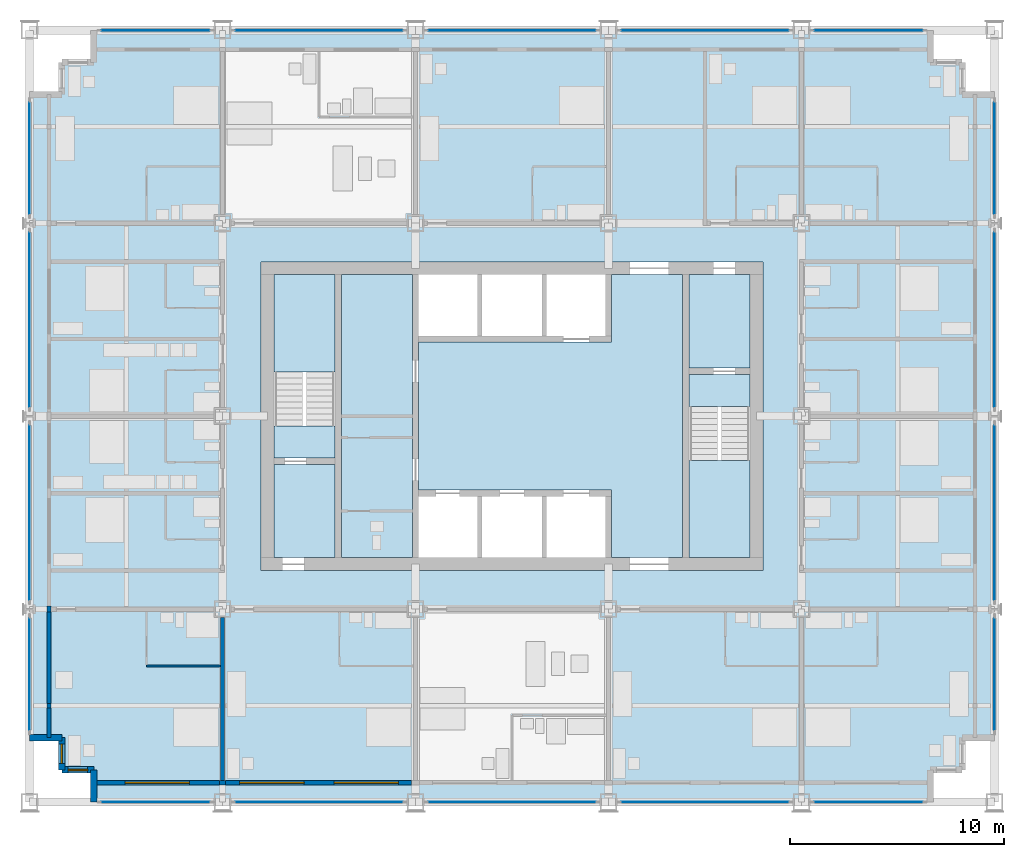
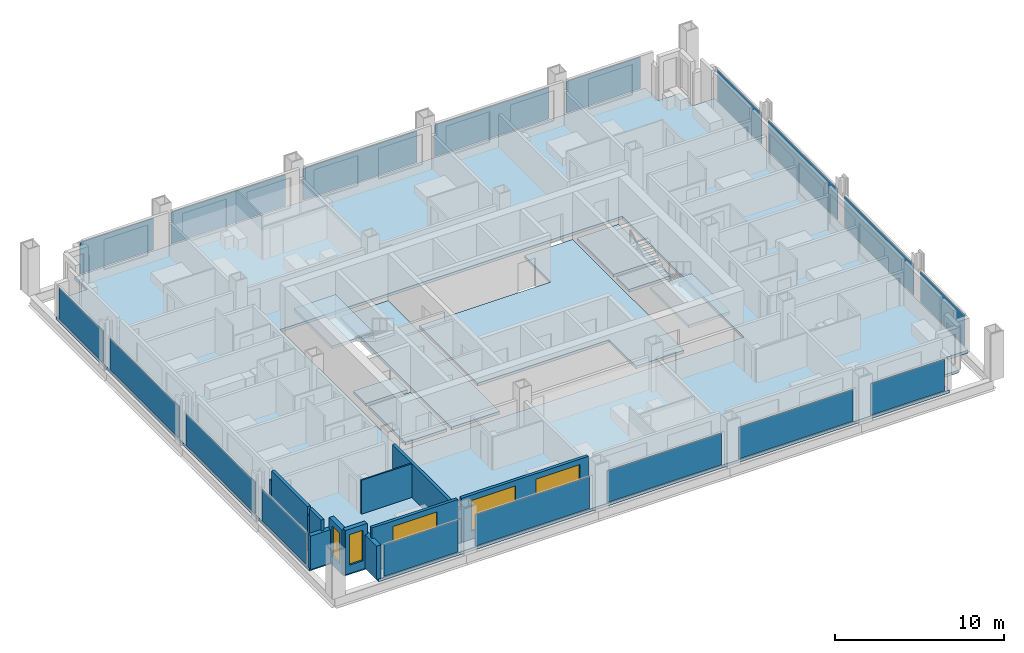
# One storey, part 8 of 16: 18 plates, 13 walls, 9 slabs, 5 windows, 5 openings, 20 elements without a shape of their own.
"""IFC4 building model written with IfcOpenShell, lengths in metres."""

from ifc_helpers import new_model, si_unit, direction, frame, frame_2d, origin, origin_2d, place, context, subcontext, project, spatial, polyline, rectangle, outline, extrude, material, layer, layer_set, type_object, element, fill, aggregate, save


model = new_model("IFC4")

# Units and contexts
model_context = context("Model", 3, precision=1e-05, world=origin(), true_north=direction((0.0, 1.0)))
body_context = subcontext(model_context, "Body", "Model", "MODEL_VIEW")
ifc_project = project(units=[si_unit("LENGTHUNIT", "METRE"), si_unit("AREAUNIT", "SQUARE_METRE"), si_unit("VOLUMEUNIT", "CUBIC_METRE"), si_unit("PLANEANGLEUNIT", "RADIAN"), si_unit("MASSUNIT", "GRAM", prefix="KILO")], contexts=[model_context])

# Site, building, storey
site_placement = place(None, origin())
site = spatial("IfcSite", under=ifc_project, at=site_placement, CompositionType="ELEMENT")
building_placement = place(site_placement, origin())
building = spatial("IfcBuilding", under=site, at=building_placement, Name="Loomwork Tower", CompositionType="ELEMENT")
storey_placement = place(building_placement, frame((0.0, 0.0, 107.800048828125)))
storey = spatial("IfcBuildingStorey", under=building, at=storey_placement, Name="L28", CompositionType="ELEMENT", Elevation=107.800048828125)

# Slabs
ifc_material_1 = material(Name="Concrete 5000 psi (34 MPa) on composite metal deck", Category="concrete")
ifc_layer_1 = layer(ifc_material_1, 0.199951171875)
ifc_layer_set_1 = layer_set([ifc_layer_1], Name="Floor slab 200")
slab_type_1 = type_object("IfcSlabType", Name="Floor slab 200", PredefinedType="FLOOR", material=ifc_layer_set_1)
slab_1_placement = place(storey_placement, frame((0.0, 0.0, -0.199951171875)))
element("IfcSlab", 1, at=slab_1_placement, inside=storey, type_object=slab_type_1, Name="Floor slab L28", PredefinedType="FLOOR", context=body_context, shape_type="SweptSolid", body=[
    extrude(outline(polyline([(3.0, 1.5), (1.5, 1.5), (1.5, 3.0), (0.0, 3.0), (0.0, 33.0), (1.5, 33.0), (1.5, 34.5), (3.0, 34.5), (3.0, 36.0), (42.0, 36.0), (42.0, 34.5), (43.5, 34.5), (43.5, 33.0), (45.0, 33.0), (45.0, 3.0), (43.5, 3.0), (43.5, 1.5), (42.0, 1.5), (42.0, 0.0), (3.0, 0.0), (3.0, 1.5)]), holes=[polyline([(10.800048828125, 11.39990234375), (10.800048828125, 11.39990234375), (10.800048828125, 10.800048828125), (34.199951171875, 10.800048828125), (34.199951171875, 11.39990234375), (34.199951171875, 11.39990234375), (34.199951171875, 24.60009765625), (34.199951171875, 25.199951171875), (10.800048828125, 25.199951171875), (10.800048828125, 24.60009765625), (10.800048828125, 11.39990234375)])]), origin(), (0.0, 0.0, 1.0), 0.199951171875),
])
slab_2_placement = place(storey_placement, frame((0.0, 0.0, -0.199951171875)))
element("IfcSlab", 2, at=slab_2_placement, inside=storey, type_object=slab_type_1, Name="Floor slab L28", PredefinedType="FLOOR", context=body_context, shape_type="SweptSolid", body=[
    extrude(outline(polyline([(30.449951171875, 24.60009765625), (30.449951171875, 11.39990234375), (27.14990234375, 11.39990234375), (27.14990234375, 14.25), (27.14990234375, 14.550048828125), (18.14990234375, 14.550048828125), (18.14990234375, 21.449951171875), (27.14990234375, 21.449951171875), (27.14990234375, 21.75), (27.14990234375, 24.60009765625), (30.449951171875, 24.60009765625)])), origin(), (0.0, 0.0, 1.0), 0.199951171875),
])
slab_3_placement = place(storey_placement, frame((0.0, 0.0, -0.199951171875)))
element("IfcSlab", 3, at=slab_3_placement, inside=storey, type_object=slab_type_1, Name="Floor slab L28", PredefinedType="FLOOR", context=body_context, shape_type="SweptSolid", body=[
    extrude(outline(polyline([(14.550048828125, 11.39990234375), (14.550048828125, 24.60009765625), (17.85009765625, 24.60009765625), (17.85009765625, 11.39990234375), (14.550048828125, 11.39990234375)])), origin(), (0.0, 0.0, 1.0), 0.199951171875),
])
slab_4_placement = place(storey_placement, frame((0.0, 0.0, -0.199951171875)))
element("IfcSlab", 4, at=slab_4_placement, inside=storey, type_object=slab_type_1, Name="Floor slab L28", PredefinedType="FLOOR", context=body_context, shape_type="SweptSolid", body=[
    extrude(outline(polyline([(33.60009765625, 20.25), (30.75, 20.25), (30.75, 24.60009765625), (33.60009765625, 24.60009765625), (33.60009765625, 20.25)])), origin(), (0.0, 0.0, 1.0), 0.199951171875),
])
slab_5_placement = place(storey_placement, frame((0.0, 0.0, -0.199951171875)))
element("IfcSlab", 5, at=slab_5_placement, inside=storey, type_object=slab_type_1, Name="Floor slab L28", PredefinedType="FLOOR", context=body_context, shape_type="SweptSolid", body=[
    extrude(outline(polyline([(14.25, 15.75), (14.25, 11.39990234375), (11.39990234375, 11.39990234375), (11.39990234375, 15.75), (14.25, 15.75)])), origin(), (0.0, 0.0, 1.0), 0.199951171875),
])

# Curtain wall, plate
ifc_material_2 = material(Name="Aluminium curtain wall frame", Category="aluminium")
curtain_wall_type = type_object("IfcCurtainWallType", Name="Outer skin glazing hotel", PredefinedType="NOTDEFINED", material=ifc_material_2)
curtain_wall_1_placement = place(storey_placement, origin())
curtain_wall_1 = element("IfcCurtainWall", 6, at=curtain_wall_1_placement, inside=storey, type_object=curtain_wall_type, Name="Outer skin glazing hotel cw/S-0", PredefinedType="NOTDEFINED")
ifc_material_3 = material(Name="Clear laminated glass", Category="glass")
ifc_layer_2 = layer(ifc_material_3, 0.02392578125)
ifc_layer_set_2 = layer_set([ifc_layer_2], Name="Outer skin glazing hotel panel")
plate_type = type_object("IfcPlateType", Name="Outer skin glazing hotel panel", PredefinedType="CURTAIN_PANEL", material=ifc_layer_set_2)
plate_1_placement = place(storey_placement, frame((5.875, 0.0, 0.06494140625), z_axis=(0.0, 0.0, 1.0), x_axis=(1.0, 0.0, 0.0)))
plate_1 = element("IfcPlate", 7, at=plate_1_placement, type_object=plate_type, Name="CW1 panel 1.1", PredefinedType="CURTAIN_PANEL", context=body_context, shape_type="SweptSolid", body=[
    extrude(rectangle(XDim=5.050048828125, YDim=0.02392578125, at=origin_2d()), origin(), (0.0, 0.0, 1.0), 2.290283203125),
])
aggregate(curtain_wall_1, [plate_1])

curtain_wall_2_placement = place(storey_placement, origin())
curtain_wall_2 = element("IfcCurtainWall", 8, at=curtain_wall_2_placement, inside=storey, type_object=curtain_wall_type, Name="Outer skin glazing hotel cw/S-9", PredefinedType="NOTDEFINED")
plate_2_placement = place(storey_placement, frame((13.5, 0.0, 0.06494140625), z_axis=(0.0, 0.0, 1.0), x_axis=(1.0, 0.0, 0.0)))
plate_2 = element("IfcPlate", 9, at=plate_2_placement, type_object=plate_type, Name="CW1 panel 1.1", PredefinedType="CURTAIN_PANEL", context=body_context, shape_type="SweptSolid", body=[
    extrude(rectangle(XDim=7.800048828125, YDim=0.02392578125, at=origin_2d()), origin(), (0.0, 0.0, 1.0), 2.290283203125),
])
aggregate(curtain_wall_2, [plate_2])

curtain_wall_3_placement = place(storey_placement, origin())
curtain_wall_3 = element("IfcCurtainWall", 10, at=curtain_wall_3_placement, inside=storey, type_object=curtain_wall_type, Name="Outer skin glazing hotel cw/S-18", PredefinedType="NOTDEFINED")
plate_3_placement = place(storey_placement, frame((22.5, 0.0, 0.06494140625), z_axis=(0.0, 0.0, 1.0), x_axis=(1.0, 0.0, 0.0)))
plate_3 = element("IfcPlate", 11, at=plate_3_placement, type_object=plate_type, Name="CW1 panel 1.1", PredefinedType="CURTAIN_PANEL", context=body_context, shape_type="SweptSolid", body=[
    extrude(rectangle(XDim=7.800048828125, YDim=0.02392578125, at=origin_2d()), origin(), (0.0, 0.0, 1.0), 2.290283203125),
])
aggregate(curtain_wall_3, [plate_3])

curtain_wall_4_placement = place(storey_placement, origin())
curtain_wall_4 = element("IfcCurtainWall", 12, at=curtain_wall_4_placement, inside=storey, type_object=curtain_wall_type, Name="Outer skin glazing hotel cw/S-27", PredefinedType="NOTDEFINED")
plate_4_placement = place(storey_placement, frame((31.5, 0.0, 0.06494140625), z_axis=(0.0, 0.0, 1.0), x_axis=(1.0, 0.0, 0.0)))
plate_4 = element("IfcPlate", 13, at=plate_4_placement, type_object=plate_type, Name="CW1 panel 1.1", PredefinedType="CURTAIN_PANEL", context=body_context, shape_type="SweptSolid", body=[
    extrude(rectangle(XDim=7.800048828125, YDim=0.02392578125, at=origin_2d()), origin(), (0.0, 0.0, 1.0), 2.290283203125),
])
aggregate(curtain_wall_4, [plate_4])

curtain_wall_5_placement = place(storey_placement, origin())
curtain_wall_5 = element("IfcCurtainWall", 14, at=curtain_wall_5_placement, inside=storey, type_object=curtain_wall_type, Name="Outer skin glazing hotel cw/S-36", PredefinedType="NOTDEFINED")
plate_5_placement = place(storey_placement, frame((39.125, 0.0, 0.06494140625), z_axis=(0.0, 0.0, 1.0), x_axis=(1.0, 0.0, 0.0)))
plate_5 = element("IfcPlate", 15, at=plate_5_placement, type_object=plate_type, Name="CW1 panel 1.1", PredefinedType="CURTAIN_PANEL", context=body_context, shape_type="SweptSolid", body=[
    extrude(rectangle(XDim=5.050048828125, YDim=0.02392578125, at=origin_2d()), origin(), (0.0, 0.0, 1.0), 2.290283203125),
])
aggregate(curtain_wall_5, [plate_5])

curtain_wall_6_placement = place(storey_placement, origin())
curtain_wall_6 = element("IfcCurtainWall", 16, at=curtain_wall_6_placement, inside=storey, type_object=curtain_wall_type, Name="Outer skin glazing hotel cw/N-0", PredefinedType="NOTDEFINED")
plate_6_placement = place(storey_placement, frame((5.875, 36.0, 0.06494140625), z_axis=(0.0, 0.0, 1.0), x_axis=(-1.0, 0.0, 0.0)))
plate_6 = element("IfcPlate", 17, at=plate_6_placement, type_object=plate_type, Name="CW1 panel 1.1", PredefinedType="CURTAIN_PANEL", context=body_context, shape_type="SweptSolid", body=[
    extrude(rectangle(XDim=5.050048828125, YDim=0.02392578125, at=origin_2d()), origin(), (0.0, 0.0, 1.0), 2.290283203125),
])
aggregate(curtain_wall_6, [plate_6])

curtain_wall_7_placement = place(storey_placement, origin())
curtain_wall_7 = element("IfcCurtainWall", 18, at=curtain_wall_7_placement, inside=storey, type_object=curtain_wall_type, Name="Outer skin glazing hotel cw/N-9", PredefinedType="NOTDEFINED")
plate_7_placement = place(storey_placement, frame((13.5, 36.0, 0.06494140625), z_axis=(0.0, 0.0, 1.0), x_axis=(-1.0, 0.0, 0.0)))
plate_7 = element("IfcPlate", 19, at=plate_7_placement, type_object=plate_type, Name="CW1 panel 1.1", PredefinedType="CURTAIN_PANEL", context=body_context, shape_type="SweptSolid", body=[
    extrude(rectangle(XDim=7.800048828125, YDim=0.02392578125, at=origin_2d()), origin(), (0.0, 0.0, 1.0), 2.290283203125),
])
aggregate(curtain_wall_7, [plate_7])

curtain_wall_8_placement = place(storey_placement, origin())
curtain_wall_8 = element("IfcCurtainWall", 20, at=curtain_wall_8_placement, inside=storey, type_object=curtain_wall_type, Name="Outer skin glazing hotel cw/N-18", PredefinedType="NOTDEFINED")
plate_8_placement = place(storey_placement, frame((22.5, 36.0, 0.06494140625), z_axis=(0.0, 0.0, 1.0), x_axis=(-1.0, 0.0, 0.0)))
plate_8 = element("IfcPlate", 21, at=plate_8_placement, type_object=plate_type, Name="CW1 panel 1.1", PredefinedType="CURTAIN_PANEL", context=body_context, shape_type="SweptSolid", body=[
    extrude(rectangle(XDim=7.800048828125, YDim=0.02392578125, at=origin_2d()), origin(), (0.0, 0.0, 1.0), 2.290283203125),
])
aggregate(curtain_wall_8, [plate_8])

curtain_wall_9_placement = place(storey_placement, origin())
curtain_wall_9 = element("IfcCurtainWall", 22, at=curtain_wall_9_placement, inside=storey, type_object=curtain_wall_type, Name="Outer skin glazing hotel cw/N-27", PredefinedType="NOTDEFINED")
plate_9_placement = place(storey_placement, frame((31.5, 36.0, 0.06494140625), z_axis=(0.0, 0.0, 1.0), x_axis=(-1.0, 0.0, 0.0)))
plate_9 = element("IfcPlate", 23, at=plate_9_placement, type_object=plate_type, Name="CW1 panel 1.1", PredefinedType="CURTAIN_PANEL", context=body_context, shape_type="SweptSolid", body=[
    extrude(rectangle(XDim=7.800048828125, YDim=0.02392578125, at=origin_2d()), origin(), (0.0, 0.0, 1.0), 2.290283203125),
])
aggregate(curtain_wall_9, [plate_9])

curtain_wall_10_placement = place(storey_placement, origin())
curtain_wall_10 = element("IfcCurtainWall", 24, at=curtain_wall_10_placement, inside=storey, type_object=curtain_wall_type, Name="Outer skin glazing hotel cw/N-36", PredefinedType="NOTDEFINED")
plate_10_placement = place(storey_placement, frame((39.125, 36.0, 0.06494140625), z_axis=(0.0, 0.0, 1.0), x_axis=(-1.0, 0.0, 0.0)))
plate_10 = element("IfcPlate", 25, at=plate_10_placement, type_object=plate_type, Name="CW1 panel 1.1", PredefinedType="CURTAIN_PANEL", context=body_context, shape_type="SweptSolid", body=[
    extrude(rectangle(XDim=5.050048828125, YDim=0.02392578125, at=origin_2d()), origin(), (0.0, 0.0, 1.0), 2.290283203125),
])
aggregate(curtain_wall_10, [plate_10])

curtain_wall_11_placement = place(storey_placement, origin())
curtain_wall_11 = element("IfcCurtainWall", 26, at=curtain_wall_11_placement, inside=storey, type_object=curtain_wall_type, Name="Outer skin glazing hotel cw/W-0", PredefinedType="NOTDEFINED")
plate_11_placement = place(storey_placement, frame((0.0, 5.962646484375, 0.06494140625), z_axis=(0.0, 0.0, 1.0), x_axis=(0.0, -1.0, 0.0)))
plate_11 = element("IfcPlate", 27, at=plate_11_placement, type_object=plate_type, Name="CW1 panel 1.1", PredefinedType="CURTAIN_PANEL", context=body_context, shape_type="SweptSolid", body=[
    extrude(rectangle(XDim=5.22509765625, YDim=0.02392578125, at=origin_2d()), origin(), (0.0, 0.0, 1.0), 2.290283203125),
])
aggregate(curtain_wall_11, [plate_11])

curtain_wall_12_placement = place(storey_placement, origin())
curtain_wall_12 = element("IfcCurtainWall", 28, at=curtain_wall_12_placement, inside=storey, type_object=curtain_wall_type, Name="Outer skin glazing hotel cw/W-9", PredefinedType="NOTDEFINED")
plate_12_placement = place(storey_placement, frame((0.0, 13.5, 0.06494140625), z_axis=(0.0, 0.0, 1.0), x_axis=(0.0, -1.0, 0.0)))
plate_12 = element("IfcPlate", 29, at=plate_12_placement, type_object=plate_type, Name="CW1 panel 1.1", PredefinedType="CURTAIN_PANEL", context=body_context, shape_type="SweptSolid", body=[
    extrude(rectangle(XDim=8.150390625, YDim=0.02392578125, at=origin_2d()), origin(), (0.0, 0.0, 1.0), 2.290283203125),
])
aggregate(curtain_wall_12, [plate_12])

curtain_wall_13_placement = place(storey_placement, origin())
curtain_wall_13 = element("IfcCurtainWall", 30, at=curtain_wall_13_placement, inside=storey, type_object=curtain_wall_type, Name="Outer skin glazing hotel cw/W-18", PredefinedType="NOTDEFINED")
plate_13_placement = place(storey_placement, frame((0.0, 22.5, 0.06494140625), z_axis=(0.0, 0.0, 1.0), x_axis=(0.0, -1.0, 0.0)))
plate_13 = element("IfcPlate", 31, at=plate_13_placement, type_object=plate_type, Name="CW1 panel 1.1", PredefinedType="CURTAIN_PANEL", context=body_context, shape_type="SweptSolid", body=[
    extrude(rectangle(XDim=8.150390625, YDim=0.02392578125, at=origin_2d()), origin(), (0.0, 0.0, 1.0), 2.290283203125),
])
aggregate(curtain_wall_13, [plate_13])

curtain_wall_14_placement = place(storey_placement, origin())
curtain_wall_14 = element("IfcCurtainWall", 32, at=curtain_wall_14_placement, inside=storey, type_object=curtain_wall_type, Name="Outer skin glazing hotel cw/W-27", PredefinedType="NOTDEFINED")
plate_14_placement = place(storey_placement, frame((0.0, 30.037353515625, 0.06494140625), z_axis=(0.0, 0.0, 1.0), x_axis=(0.0, -1.0, 0.0)))
plate_14 = element("IfcPlate", 33, at=plate_14_placement, type_object=plate_type, Name="CW1 panel 1.1", PredefinedType="CURTAIN_PANEL", context=body_context, shape_type="SweptSolid", body=[
    extrude(rectangle(XDim=5.22509765625, YDim=0.02392578125, at=origin_2d()), origin(), (0.0, 0.0, 1.0), 2.290283203125),
])
aggregate(curtain_wall_14, [plate_14])

curtain_wall_15_placement = place(storey_placement, origin())
curtain_wall_15 = element("IfcCurtainWall", 34, at=curtain_wall_15_placement, inside=storey, type_object=curtain_wall_type, Name="Outer skin glazing hotel cw/E-0", PredefinedType="NOTDEFINED")
plate_15_placement = place(storey_placement, frame((45.0, 5.962646484375, 0.06494140625), z_axis=(0.0, 0.0, 1.0), x_axis=(0.0, 1.0, 0.0)))
plate_15 = element("IfcPlate", 35, at=plate_15_placement, type_object=plate_type, Name="CW1 panel 1.1", PredefinedType="CURTAIN_PANEL", context=body_context, shape_type="SweptSolid", body=[
    extrude(rectangle(XDim=5.22509765625, YDim=0.02392578125, at=origin_2d()), origin(), (0.0, 0.0, 1.0), 2.290283203125),
])
aggregate(curtain_wall_15, [plate_15])

curtain_wall_16_placement = place(storey_placement, origin())
curtain_wall_16 = element("IfcCurtainWall", 36, at=curtain_wall_16_placement, inside=storey, type_object=curtain_wall_type, Name="Outer skin glazing hotel cw/E-9", PredefinedType="NOTDEFINED")
plate_16_placement = place(storey_placement, frame((45.0, 13.5, 0.06494140625), z_axis=(0.0, 0.0, 1.0), x_axis=(0.0, 1.0, 0.0)))
plate_16 = element("IfcPlate", 37, at=plate_16_placement, type_object=plate_type, Name="CW1 panel 1.1", PredefinedType="CURTAIN_PANEL", context=body_context, shape_type="SweptSolid", body=[
    extrude(rectangle(XDim=8.150390625, YDim=0.02392578125, at=origin_2d()), origin(), (0.0, 0.0, 1.0), 2.290283203125),
])
aggregate(curtain_wall_16, [plate_16])

curtain_wall_17_placement = place(storey_placement, origin())
curtain_wall_17 = element("IfcCurtainWall", 38, at=curtain_wall_17_placement, inside=storey, type_object=curtain_wall_type, Name="Outer skin glazing hotel cw/E-18", PredefinedType="NOTDEFINED")
plate_17_placement = place(storey_placement, frame((45.0, 22.5, 0.06494140625), z_axis=(0.0, 0.0, 1.0), x_axis=(0.0, 1.0, 0.0)))
plate_17 = element("IfcPlate", 39, at=plate_17_placement, type_object=plate_type, Name="CW1 panel 1.1", PredefinedType="CURTAIN_PANEL", context=body_context, shape_type="SweptSolid", body=[
    extrude(rectangle(XDim=8.150390625, YDim=0.02392578125, at=origin_2d()), origin(), (0.0, 0.0, 1.0), 2.290283203125),
])
aggregate(curtain_wall_17, [plate_17])

curtain_wall_18_placement = place(storey_placement, origin())
curtain_wall_18 = element("IfcCurtainWall", 40, at=curtain_wall_18_placement, inside=storey, type_object=curtain_wall_type, Name="Outer skin glazing hotel cw/E-27", PredefinedType="NOTDEFINED")
plate_18_placement = place(storey_placement, frame((45.0, 30.037353515625, 0.06494140625), z_axis=(0.0, 0.0, 1.0), x_axis=(0.0, 1.0, 0.0)))
plate_18 = element("IfcPlate", 41, at=plate_18_placement, type_object=plate_type, Name="CW1 panel 1.1", PredefinedType="CURTAIN_PANEL", context=body_context, shape_type="SweptSolid", body=[
    extrude(rectangle(XDim=5.22509765625, YDim=0.02392578125, at=origin_2d()), origin(), (0.0, 0.0, 1.0), 2.290283203125),
])
aggregate(curtain_wall_18, [plate_18])

# Stair, slabs
ifc_material_4 = material(Name="Concrete 5000 psi (34 MPa) precast stair", Category="concrete")
stair_type_1 = type_object("IfcStairType", Name="Stair ST-A 20 risers 2850 wide", PredefinedType="HALF_TURN_STAIR", material=ifc_material_4)
stair_1_placement = place(storey_placement, origin())
stair_1 = element("IfcStair", 42, at=stair_1_placement, inside=storey, type_object=stair_type_1, Name="Stair A L28", PredefinedType="HALF_TURN_STAIR")
ifc_material_5 = material(Name="Concrete 5000 psi (34 MPa)", Category="concrete")
ifc_layer_3 = layer(ifc_material_5, 0.199951171875)
ifc_layer_set_3 = layer_set([ifc_layer_3], Name="Stair landing 200")
slab_type_2 = type_object("IfcSlabType", Name="Stair landing 200", PredefinedType="LANDING", material=ifc_layer_set_3)
slab_6_placement = place(storey_placement, frame((0.0, 0.0, -0.199951171875)))
slab_6 = element("IfcSlab", 43, at=slab_6_placement, type_object=slab_type_2, Name="ST-A landing 1", PredefinedType="LANDING", context=body_context, shape_type="SweptSolid", body=[
    extrude(outline(polyline([(11.39990234375, 16.050048828125), (14.25, 16.050048828125), (14.25, 17.550048828125), (11.39990234375, 17.550048828125), (11.39990234375, 16.050048828125)])), origin(), (0.0, 0.0, 1.0), 0.199951171875),
])
slab_7_placement = place(storey_placement, frame((0.0, 0.0, 1.5)))
slab_7 = element("IfcSlab", 44, at=slab_7_placement, type_object=slab_type_2, Name="ST-A landing 2", PredefinedType="LANDING", context=body_context, shape_type="SweptSolid", body=[
    extrude(outline(polyline([(11.39990234375, 20.070068359375), (14.25, 20.070068359375), (14.25, 24.60009765625), (11.39990234375, 24.60009765625), (11.39990234375, 20.070068359375)])), origin(), (0.0, 0.0, 1.0), 0.199951171875),
])
aggregate(stair_1, [slab_6, slab_7])

ifc_material_6 = material(Name="Concrete 5000 psi (34 MPa) precast stair", Category="concrete")
stair_type_2 = type_object("IfcStairType", Name="Stair ST-B 20 risers 2850 wide", PredefinedType="HALF_TURN_STAIR", material=ifc_material_6)
stair_2_placement = place(storey_placement, origin())
stair_2 = element("IfcStair", 45, at=stair_2_placement, inside=storey, type_object=stair_type_2, Name="Stair B L28", PredefinedType="HALF_TURN_STAIR")
slab_8_placement = place(storey_placement, frame((0.0, 0.0, -0.199951171875)))
slab_8 = element("IfcSlab", 46, at=slab_8_placement, type_object=slab_type_2, Name="ST-B landing 1", PredefinedType="LANDING", context=body_context, shape_type="SweptSolid", body=[
    extrude(outline(polyline([(30.75, 18.449951171875), (33.60009765625, 18.449951171875), (33.60009765625, 19.949951171875), (30.75, 19.949951171875), (30.75, 18.449951171875)])), origin(), (0.0, 0.0, 1.0), 0.199951171875),
])
slab_9_placement = place(storey_placement, frame((0.0, 0.0, 1.5)))
slab_9 = element("IfcSlab", 47, at=slab_9_placement, type_object=slab_type_2, Name="ST-B landing 2", PredefinedType="LANDING", context=body_context, shape_type="SweptSolid", body=[
    extrude(outline(polyline([(30.75, 11.39990234375), (33.60009765625, 11.39990234375), (33.60009765625, 15.929931640625), (30.75, 15.929931640625), (30.75, 11.39990234375)])), origin(), (0.0, 0.0, 1.0), 0.199951171875),
])
aggregate(stair_2, [slab_8, slab_9])

# Walls
ifc_material_7 = material(Name="Cement board on steel studs", Category="steel")
ifc_layer_4 = layer(ifc_material_7, 0.10009765625)
ifc_layer_set_4 = layer_set([ifc_layer_4], Name="En-suite partition 100")
wall_type_1 = type_object("IfcWallType", Name="En-suite partition 100", PredefinedType="PARTITIONING", material=ifc_layer_set_4)
wall_1_placement = place(storey_placement, frame((5.449951171875, 6.35009765625, 0.0), z_axis=(0.0, 0.0, 1.0), x_axis=(1.0, 0.0, 0.0)))
element("IfcWall", 48, at=wall_1_placement, inside=storey, type_object=wall_type_1, Name="En-suite wall L28 room 1", PredefinedType="PARTITIONING", context=body_context, shape_type="SweptSolid", body=[
    extrude(rectangle(XDim=3.449951171875, YDim=0.10009765625, at=frame_2d((1.72509765625, 0.0))), origin(), (0.0, 0.0, 1.0), 2.43798828125),
])
ifc_material_8 = material(Name="Gypsum board on steel studs, acoustic", Category="steel")
ifc_layer_5 = layer(ifc_material_8, 0.199951171875)
ifc_layer_set_5 = layer_set([ifc_layer_5], Name="Guest room party wall 200")
wall_type_2 = type_object("IfcWallType", Name="Guest room party wall 200", PredefinedType="PARTITIONING", material=ifc_layer_set_5)
wall_2_placement = place(storey_placement, frame((9.0, 8.60009765625, 0.0), z_axis=(0.0, 0.0, 1.0), x_axis=(0.0, -1.0, 0.0)))
element("IfcWall", 49, at=wall_2_placement, inside=storey, type_object=wall_type_2, Name="Guest room party wall S 9", PredefinedType="PARTITIONING", context=body_context, shape_type="SweptSolid", body=[
    extrude(rectangle(XDim=7.60009765625, YDim=0.199951171875, at=frame_2d((3.800048828125, 0.0))), origin(), (0.0, 0.0, 1.0), 2.43798828125),
])

# Wall, opening, window
ifc_material_9 = material(Name="Insulated steel stud wall with gypsum lining", Category="steel")
ifc_layer_6 = layer(ifc_material_9, 0.199951171875)
ifc_layer_set_6 = layer_set([ifc_layer_6], Name="Inner skin wall 200")
wall_type_3 = type_object("IfcWallType", Name="Inner skin wall 200", PredefinedType="SOLIDWALL", material=ifc_layer_set_6)
wall_3_placement = place(storey_placement, frame((3.0, 0.89990234375, 0.0), z_axis=(0.0, 0.0, 1.0), x_axis=(1.0, 0.0, 0.0)))
wall_3 = element("IfcWall", 50, at=wall_3_placement, inside=storey, type_object=wall_type_3, Name="Inner skin wall S", PredefinedType="SOLIDWALL", context=body_context, shape_type="SweptSolid", body=[
    extrude(rectangle(XDim=5.86474609375, YDim=0.199951171875, at=frame_2d((2.932373046875, 0.0))), origin(), (0.0, 0.0, 1.0), 3.199951171875),
])
opening_1_placement = place(wall_3_placement, frame((1.449951171875, 0.0, 0.60009765625)))
opening_1 = element("IfcOpeningElement", 51, at=opening_1_placement, cuts=wall_3, Name="Opening CH1", PredefinedType="OPENING", context=body_context, shape_type="SweptSolid", body=[
    extrude(rectangle(XDim=3.0, YDim=2.199951171875, at=frame_2d((1.5, 1.10009765625))), frame((0.0, 0.10986328125, 0.0), z_axis=(0.0, -1.0, 0.0), x_axis=(1.0, 0.0, 0.0)), (0.0, 0.0, 1.0), 0.219970703125),
])
ifc_material_10 = material(Name="Aluminium frame with clear insulated glass", Category="aluminium")
window_type_1 = type_object("IfcWindowType", Name="Chicago window 3000", PartitioningType="TRIPLE_PANEL_VERTICAL", PredefinedType="WINDOW", material=ifc_material_10)
window_1_placement = place(opening_1_placement, origin())
window_1 = element("IfcWindow", 52, at=window_1_placement, inside=storey, type_object=window_type_1, Name="Chicago window L28 bay 1", OverallHeight=2.199951171875, OverallWidth=3.0, PartitioningType="TRIPLE_PANEL_VERTICAL", PredefinedType="WINDOW", context=body_context, shape_type="SweptSolid", body=[
    extrude(rectangle(XDim=3.0, YDim=2.199951171875, at=frame_2d((1.5, 1.10009765625))), frame((0.0, 0.030029296875, 0.0), z_axis=(0.0, -1.0, 0.0), x_axis=(1.0, 0.0, 0.0)), (0.0, 0.0, 1.0), 0.06005859375),
])
fill(opening_1, window_1)

# Walls
wall_4_placement = place(storey_placement, frame((0.89990234375, 3.0, 0.0), z_axis=(0.0, 0.0, 1.0), x_axis=(0.0, 1.0, 0.0)))
element("IfcWall", 53, at=wall_4_placement, inside=storey, type_object=wall_type_3, Name="Inner skin wall W", PredefinedType="SOLIDWALL", context=body_context, shape_type="SweptSolid", body=[
    extrude(rectangle(XDim=1.392578125, YDim=0.199951171875, at=frame_2d((0.6962890625, 0.0))), origin(), (0.0, 0.0, 1.0), 3.199951171875),
])
wall_5_placement = place(storey_placement, frame((8.86474609375, 0.89990234375, 0.0), z_axis=(0.0, 0.0, 1.0), x_axis=(1.0, 0.0, 0.0)))
element("IfcWall", 54, at=wall_5_placement, inside=storey, type_object=wall_type_3, Name="Inner skin wall S bay 2", PredefinedType="SOLIDWALL", context=body_context, shape_type="SweptSolid", body=[
    extrude(rectangle(XDim=0.2705078125, YDim=0.199951171875, at=frame_2d((0.13525390625, 0.0))), origin(), (0.0, 0.0, 1.0), 2.43798828125),
])

# Wall, openings, windows
wall_6_placement = place(storey_placement, frame((9.13525390625, 0.89990234375, 0.0), z_axis=(0.0, 0.0, 1.0), x_axis=(1.0, 0.0, 0.0)))
wall_6 = element("IfcWall", 55, at=wall_6_placement, inside=storey, type_object=wall_type_3, Name="Inner skin wall S bay 3", PredefinedType="SOLIDWALL", context=body_context, shape_type="SweptSolid", body=[
    extrude(rectangle(XDim=8.6708984375, YDim=0.199951171875, at=frame_2d((4.33544921875, 0.0))), origin(), (0.0, 0.0, 1.0), 3.199951171875),
])
opening_2_placement = place(wall_6_placement, frame((0.664794921875, 0.0, 0.60009765625)))
opening_2 = element("IfcOpeningElement", 56, at=opening_2_placement, cuts=wall_6, Name="Opening CH1", PredefinedType="OPENING", context=body_context, shape_type="SweptSolid", body=[
    extrude(rectangle(XDim=3.0, YDim=2.199951171875, at=frame_2d((1.5, 1.10009765625))), frame((0.0, 0.10986328125, 0.0), z_axis=(0.0, -1.0, 0.0), x_axis=(1.0, 0.0, 0.0)), (0.0, 0.0, 1.0), 0.219970703125),
])
opening_3_placement = place(wall_6_placement, frame((5.064697265625, 0.0, 0.60009765625)))
opening_3 = element("IfcOpeningElement", 57, at=opening_3_placement, cuts=wall_6, Name="Opening CH1", PredefinedType="OPENING", context=body_context, shape_type="SweptSolid", body=[
    extrude(rectangle(XDim=3.0, YDim=2.199951171875, at=frame_2d((1.5, 1.10009765625))), frame((0.0, 0.10986328125, 0.0), z_axis=(0.0, -1.0, 0.0), x_axis=(1.0, 0.0, 0.0)), (0.0, 0.0, 1.0), 0.219970703125),
])
window_2_placement = place(opening_2_placement, origin())
window_2 = element("IfcWindow", 58, at=window_2_placement, inside=storey, type_object=window_type_1, Name="Chicago window L28 bay 2", OverallHeight=2.199951171875, OverallWidth=3.0, PartitioningType="TRIPLE_PANEL_VERTICAL", PredefinedType="WINDOW", context=body_context, shape_type="SweptSolid", body=[
    extrude(rectangle(XDim=3.0, YDim=2.199951171875, at=frame_2d((1.5, 1.10009765625))), frame((0.0, 0.030029296875, 0.0), z_axis=(0.0, -1.0, 0.0), x_axis=(1.0, 0.0, 0.0)), (0.0, 0.0, 1.0), 0.06005859375),
])
fill(opening_2, window_2)
window_3_placement = place(opening_3_placement, origin())
window_3 = element("IfcWindow", 59, at=window_3_placement, inside=storey, type_object=window_type_1, Name="Chicago window L28 bay 2", OverallHeight=2.199951171875, OverallWidth=3.0, PartitioningType="TRIPLE_PANEL_VERTICAL", PredefinedType="WINDOW", context=body_context, shape_type="SweptSolid", body=[
    extrude(rectangle(XDim=3.0, YDim=2.199951171875, at=frame_2d((1.5, 1.10009765625))), frame((0.0, 0.030029296875, 0.0), z_axis=(0.0, -1.0, 0.0), x_axis=(1.0, 0.0, 0.0)), (0.0, 0.0, 1.0), 0.06005859375),
])
fill(opening_3, window_3)

# Walls
wall_7_placement = place(storey_placement, frame((0.89990234375, 4.392578125, 0.0), z_axis=(0.0, 0.0, 1.0), x_axis=(0.0, 1.0, 0.0)))
element("IfcWall", 60, at=wall_7_placement, inside=storey, type_object=wall_type_3, Name="Inner skin wall W bay 2", PredefinedType="SOLIDWALL", context=body_context, shape_type="SweptSolid", body=[
    extrude(rectangle(XDim=0.21484375, YDim=0.199951171875, at=frame_2d((0.107421875, 0.0))), origin(), (0.0, 0.0, 1.0), 2.660888671875),
])
wall_8_placement = place(storey_placement, frame((0.89990234375, 4.607421875, 0.0), z_axis=(0.0, 0.0, 1.0), x_axis=(0.0, 1.0, 0.0)))
element("IfcWall", 61, at=wall_8_placement, inside=storey, type_object=wall_type_3, Name="Inner skin wall W bay 3", PredefinedType="SOLIDWALL", context=body_context, shape_type="SweptSolid", body=[
    extrude(rectangle(XDim=4.25732421875, YDim=0.199951171875, at=frame_2d((2.128662109375, 0.0))), origin(), (0.0, 0.0, 1.0), 3.199951171875),
])
wall_9_placement = place(storey_placement, frame((0.89990234375, 8.86474609375, 0.0), z_axis=(0.0, 0.0, 1.0), x_axis=(0.0, 1.0, 0.0)))
element("IfcWall", 62, at=wall_9_placement, inside=storey, type_object=wall_type_3, Name="Inner skin wall W bay 4", PredefinedType="SOLIDWALL", context=body_context, shape_type="SweptSolid", body=[
    extrude(rectangle(XDim=0.2705078125, YDim=0.199951171875, at=frame_2d((0.13525390625, 0.0))), origin(), (0.0, 0.0, 1.0), 2.43798828125),
])
ifc_material_11 = material(Name="Limestone on concrete masonry", Category="masonry")
ifc_layer_7 = layer(ifc_material_11, 0.300048828125)
ifc_layer_set_7 = layer_set([ifc_layer_7], Name="Limestone corner wall 300")
wall_type_4 = type_object("IfcWallType", Name="Limestone corner wall 300", PredefinedType="SOLIDWALL", material=ifc_layer_set_7)
wall_10_placement = place(storey_placement, frame((0.0, 3.0, 0.0), z_axis=(0.0, 0.0, 1.0), x_axis=(1.0, 0.0, 0.0)))
element("IfcWall", 63, at=wall_10_placement, inside=storey, type_object=wall_type_4, Name="Stone corner wall SW 1", PredefinedType="SOLIDWALL", context=body_context, shape_type="SweptSolid", body=[
    extrude(rectangle(XDim=1.5, YDim=0.300048828125, at=frame_2d((0.75, 0.0))), origin(), (0.0, 0.0, 1.0), 2.419921875),
])

# Wall, opening, window
wall_11_placement = place(storey_placement, frame((1.5, 3.0, 0.0), z_axis=(0.0, 0.0, 1.0), x_axis=(0.0, -1.0, 0.0)))
wall_11 = element("IfcWall", 64, at=wall_11_placement, inside=storey, type_object=wall_type_4, Name="Stone corner wall SW 2", PredefinedType="SOLIDWALL", context=body_context, shape_type="SweptSolid", body=[
    extrude(rectangle(XDim=1.5, YDim=0.300048828125, at=frame_2d((0.75, 0.0))), origin(), (0.0, 0.0, 1.0), 3.199951171875),
])
opening_4_placement = place(wall_11_placement, frame((0.300048828125, 0.0, 0.60009765625)))
opening_4 = element("IfcOpeningElement", 65, at=opening_4_placement, cuts=wall_11, Name="Opening CH2", PredefinedType="OPENING", context=body_context, shape_type="SweptSolid", body=[
    extrude(rectangle(XDim=0.89990234375, YDim=2.199951171875, at=frame_2d((0.449951171875, 1.10009765625))), frame((0.0, 0.159912109375, 0.0), z_axis=(0.0, -1.0, 0.0), x_axis=(1.0, 0.0, 0.0)), (0.0, 0.0, 1.0), 0.320068359375),
])
ifc_material_12 = material(Name="Aluminium frame with clear insulated glass", Category="aluminium")
window_type_2 = type_object("IfcWindowType", Name="Corner window 900", PartitioningType="SINGLE_PANEL", PredefinedType="WINDOW", material=ifc_material_12)
window_4_placement = place(opening_4_placement, origin())
window_4 = element("IfcWindow", 66, at=window_4_placement, inside=storey, type_object=window_type_2, Name="Corner window SW", OverallHeight=2.199951171875, OverallWidth=0.89990234375, PartitioningType="SINGLE_PANEL", PredefinedType="WINDOW", context=body_context, shape_type="SweptSolid", body=[
    extrude(rectangle(XDim=0.89990234375, YDim=2.199951171875, at=frame_2d((0.449951171875, 1.10009765625))), frame((0.0, 0.030029296875, 0.0), z_axis=(0.0, -1.0, 0.0), x_axis=(1.0, 0.0, 0.0)), (0.0, 0.0, 1.0), 0.06005859375),
])
fill(opening_4, window_4)

wall_12_placement = place(storey_placement, frame((1.5, 1.5, 0.0), z_axis=(0.0, 0.0, 1.0), x_axis=(1.0, 0.0, 0.0)))
wall_12 = element("IfcWall", 67, at=wall_12_placement, inside=storey, type_object=wall_type_4, Name="Stone corner wall SW 3", PredefinedType="SOLIDWALL", context=body_context, shape_type="SweptSolid", body=[
    extrude(rectangle(XDim=1.5, YDim=0.300048828125, at=frame_2d((0.75, 0.0))), origin(), (0.0, 0.0, 1.0), 3.199951171875),
])
opening_5_placement = place(wall_12_placement, frame((0.300048828125, 0.0, 0.60009765625)))
opening_5 = element("IfcOpeningElement", 68, at=opening_5_placement, cuts=wall_12, Name="Opening CH2", PredefinedType="OPENING", context=body_context, shape_type="SweptSolid", body=[
    extrude(rectangle(XDim=0.89990234375, YDim=2.199951171875, at=frame_2d((0.449951171875, 1.10009765625))), frame((0.0, 0.159912109375, 0.0), z_axis=(0.0, -1.0, 0.0), x_axis=(1.0, 0.0, 0.0)), (0.0, 0.0, 1.0), 0.320068359375),
])
window_5_placement = place(opening_5_placement, origin())
window_5 = element("IfcWindow", 69, at=window_5_placement, inside=storey, type_object=window_type_2, Name="Corner window SW", OverallHeight=2.199951171875, OverallWidth=0.89990234375, PartitioningType="SINGLE_PANEL", PredefinedType="WINDOW", context=body_context, shape_type="SweptSolid", body=[
    extrude(rectangle(XDim=0.89990234375, YDim=2.199951171875, at=frame_2d((0.449951171875, 1.10009765625))), frame((0.0, 0.030029296875, 0.0), z_axis=(0.0, -1.0, 0.0), x_axis=(1.0, 0.0, 0.0)), (0.0, 0.0, 1.0), 0.06005859375),
])
fill(opening_5, window_5)

# Wall
wall_13_placement = place(storey_placement, frame((3.0, 1.5, 0.0), z_axis=(0.0, 0.0, 1.0), x_axis=(0.0, -1.0, 0.0)))
element("IfcWall", 70, at=wall_13_placement, inside=storey, type_object=wall_type_4, Name="Stone corner wall SW 4", PredefinedType="SOLIDWALL", context=body_context, shape_type="SweptSolid", body=[
    extrude(rectangle(XDim=1.5, YDim=0.300048828125, at=frame_2d((0.75, 0.0))), origin(), (0.0, 0.0, 1.0), 2.419921875),
])

save(model, "model.ifc")
